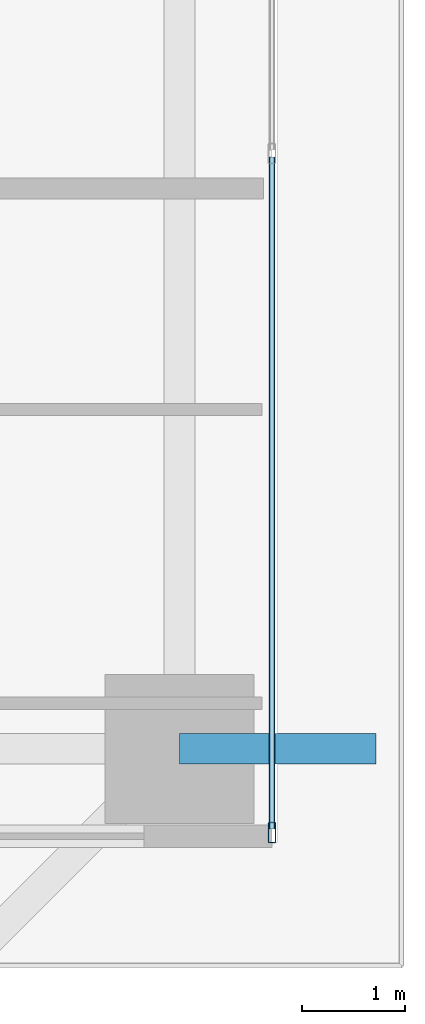
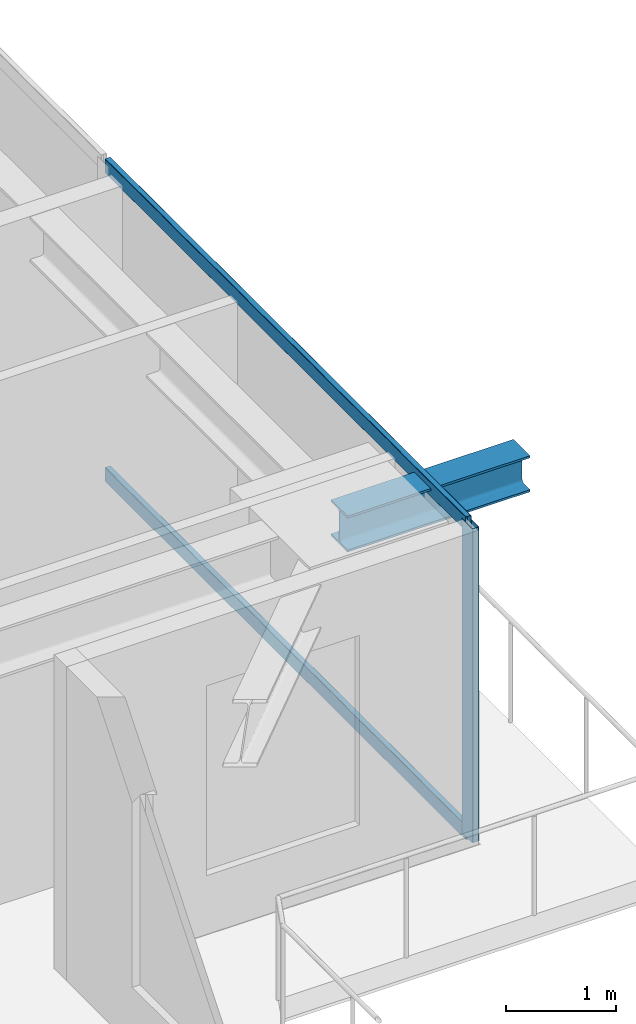
# One storey, part 12 of 36: 3 members, 1 beam, 1 element without a shape of its own.
"""IFC4 building model written with IfcOpenShell, lengths in metres."""

from ifc_helpers import new_model, si_unit, direction, frame, origin, origin_2d, place, context, subcontext, project, spatial, hollow_rectangle, i_section, extrude, source, transform, mapped, material, layer, layer_set, material_profile, profile_set, type_object, element, aggregate, save


model = new_model("IFC4")

# Units and contexts
model_context = context("Model", 3, precision=1e-05, world=origin(), true_north=direction((0.0, 1.0)))
body_context = subcontext(model_context, "Body", "Model", "MODEL_VIEW")
ifc_project = project(units=[si_unit("LENGTHUNIT", "METRE"), si_unit("AREAUNIT", "SQUARE_METRE"), si_unit("VOLUMEUNIT", "CUBIC_METRE"), si_unit("PLANEANGLEUNIT", "RADIAN"), si_unit("MASSUNIT", "GRAM", prefix="KILO")], contexts=[model_context])

# Site, building, storey
site_placement = place(None, origin())
site = spatial("IfcSite", under=ifc_project, at=site_placement, CompositionType="ELEMENT")
building_placement = place(site_placement, origin())
building = spatial("IfcBuilding", under=site, at=building_placement, Name="Serunith Strait Residences", CompositionType="ELEMENT")
storey_placement = place(building_placement, frame((0.0, 0.0, 86.699951171875)))
storey = spatial("IfcBuildingStorey", under=building, at=storey_placement, Name="L21", CompositionType="ELEMENT", Elevation=86.699951171875)

# Beam
ifc_material_1 = material(Name="Steel S355J2", Category="steel")
ifc_material_profile_1 = material_profile(ifc_material_1, i_section(OverallWidth=0.300048828125, OverallDepth=0.39990234375, WebThickness=0.013427734375, FlangeThickness=0.02392578125, FilletRadius=0.027099609375, at=origin_2d()), Name="HEB 400")
ifc_profile_set_1 = profile_set([ifc_material_profile_1], Name="Steel S355J2")
beam_type = type_object("IfcBeamType", Name="BM-HEB400", PredefinedType="BEAM", material=ifc_profile_set_1)
shared_shape_1 = source(origin(), body_context, "Body", "SweptSolid", [
    extrude(i_section(OverallWidth=0.300048828125, OverallDepth=0.39990234375, WebThickness=0.013427734375, FlangeThickness=0.02392578125, FilletRadius=0.027099609375, at=origin_2d()), origin(), (0.0, 0.0, 1.0), 1.91015625),
])
beam_placement = place(storey_placement, frame((57.89990234375, 9.449951171875, 3.257080078125), z_axis=(1.0, 0.0, 0.0), x_axis=(0.0, 1.0, 0.0)))
element("IfcBeam", 1, at=beam_placement, inside=storey, type_object=beam_type, Name="L22 Cantilevered Balcony Rib TC-E1", PredefinedType="BEAM", context=body_context, shape_type="MappedRepresentation", body=[
    mapped(shared_shape_1, transform((0.0, 0.0, 0.0), scale=1.0)),
])

# Curtain wall, members
ifc_material_2 = material(Name="Pale-Champagne Anodised Aluminium", Category="aluminium")
ifc_layer = layer(ifc_material_2, 0.199951171875, Name="Pale-Champagne Anodised Aluminium")
ifc_layer_set = layer_set([ifc_layer], Name="Pale-Champagne Anodised Aluminium")
curtain_wall_type = type_object("IfcCurtainWallType", Name="CW-SYS1", PredefinedType="NOTDEFINED", material=ifc_layer_set)
curtain_wall_placement = place(storey_placement, origin())
curtain_wall = element("IfcCurtainWall", 2, at=curtain_wall_placement, inside=storey, type_object=curtain_wall_type, Name="L21 E Unitised Fritted Curtain Wall", PredefinedType="NOTDEFINED")
ifc_material_profile_2 = material_profile(ifc_material_2, hollow_rectangle(XDim=0.070068359375, YDim=0.199951171875, WallThickness=0.00390625, InnerFilletRadius=0.006103515625, OuterFilletRadius=0.010009765625, at=origin_2d()), Name="ALU 200x70x4")
ifc_profile_set_2 = profile_set([ifc_material_profile_2], Name="Pale-Champagne Anodised Aluminium")
member_type_1 = type_object("IfcMemberType", Name="CW-SYS1-MULL", PredefinedType="MULLION", material=ifc_profile_set_2)
shared_shape_2 = source(origin(), body_context, "Body", "SweptSolid", [
    extrude(hollow_rectangle(XDim=0.070068359375, YDim=0.199951171875, WallThickness=0.00390625, InnerFilletRadius=0.006103515625, OuterFilletRadius=0.010009765625, at=origin_2d()), origin(), (0.0, 0.0, 1.0), 3.47509765625),
])
member_1_placement = place(storey_placement, frame((58.800048828125, 8.635009765625, 0.0), z_axis=(0.0, 0.0, 1.0), x_axis=(-1.0, 0.0, 0.0)))
member_1 = element("IfcMember", 3, at=member_1_placement, type_object=member_type_1, Name="CW-1 mullion 1", PredefinedType="MULLION", context=body_context, shape_type="MappedRepresentation", body=[
    mapped(shared_shape_2, transform((0.0, 0.0, 0.0), scale=1.0)),
])
ifc_material_profile_3 = material_profile(ifc_material_2, hollow_rectangle(XDim=0.06005859375, YDim=0.159912109375, WallThickness=0.00341796875, InnerFilletRadius=0.00537109375, OuterFilletRadius=0.0087890625, at=origin_2d()), Name="ALU 160x60x3.5")
ifc_profile_set_3 = profile_set([ifc_material_profile_3], Name="Pale-Champagne Anodised Aluminium")
member_type_2 = type_object("IfcMemberType", Name="CW-SYS1-TRAN", PredefinedType="USERDEFINED", material=ifc_profile_set_3)
shared_shape_3 = source(origin(), body_context, "Body", "SweptSolid", [
    extrude(hollow_rectangle(XDim=0.06005859375, YDim=0.159912109375, WallThickness=0.00341796875, InnerFilletRadius=0.00537109375, OuterFilletRadius=0.0087890625, at=origin_2d()), origin(), (0.0, 0.0, 1.0), 6.53515625),
])
member_2_placement = place(storey_placement, frame((58.800048828125, 8.669921875, 0.030029296875), z_axis=(0.0, 1.0, 0.0), x_axis=(-1.0, 0.0, 0.0)))
member_2 = element("IfcMember", 4, at=member_2_placement, type_object=member_type_2, Name="CW-1 transom 1.1", ObjectType="TRANSOM", PredefinedType="USERDEFINED", context=body_context, shape_type="MappedRepresentation", body=[
    mapped(shared_shape_3, transform((0.0, 0.0, 0.0), scale=1.0)),
])
member_3_placement = place(storey_placement, frame((58.800048828125, 8.669921875, 3.445068359375), z_axis=(0.0, 1.0, 0.0), x_axis=(-1.0, 0.0, 0.0)))
member_3 = element("IfcMember", 5, at=member_3_placement, type_object=member_type_2, Name="CW-1 transom 1.2", ObjectType="TRANSOM", PredefinedType="USERDEFINED", context=body_context, shape_type="MappedRepresentation", body=[
    mapped(shared_shape_3, transform((0.0, 0.0, 0.0), scale=1.0)),
])
aggregate(curtain_wall, [member_1, member_2, member_3])

save(model, "model.ifc")
